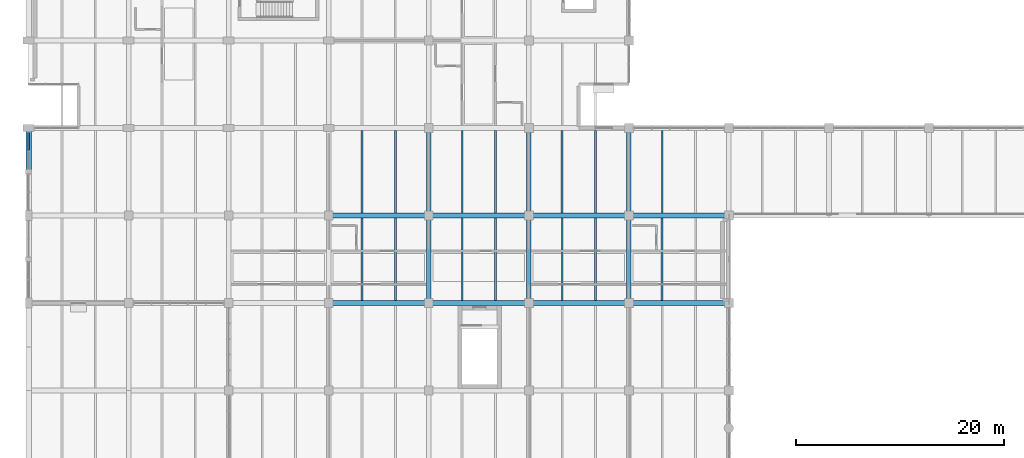
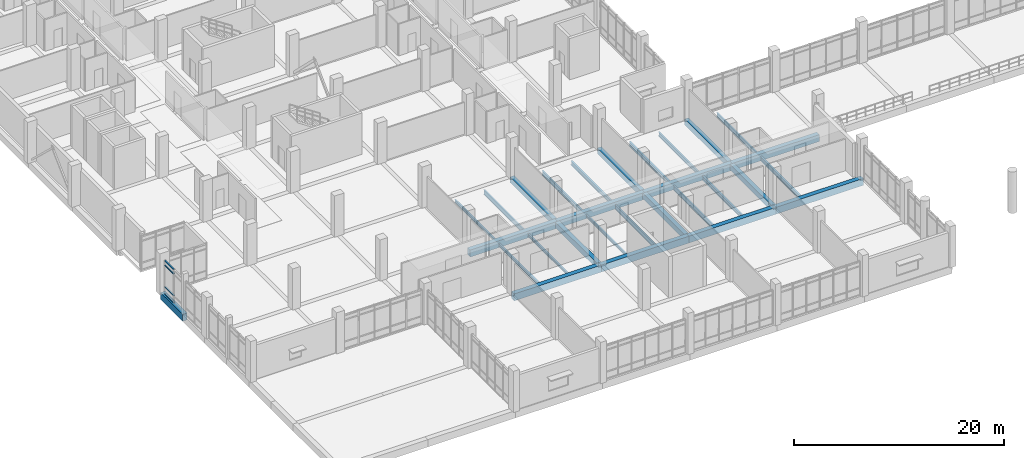
# One storey, part 13 of 152: 29 beams, 4 members, 1 element without a shape of its own.
"""IFC4 building model written with IfcOpenShell, lengths in metres."""

import ifcopenshell
import ifcopenshell.guid

model = None  # the IFC model being written
_history = None  # IfcOwnerHistory: only IFC2X3 demands one
_inside = {}  # id of a spatial element -> (the spatial element, [elements in it])
_under = {}  # id of a project, library or spatial element -> (it, [spatial elements below it])
_declared = {}  # id of a project -> (the project, [libraries it declares])
_typed = {}  # id of a type object -> (the type object, [elements of that type])
_made_of = {}  # id of a material, layer set ... -> (it, [elements and type objects made of it])


def new_model(schema):
    """Start an empty IFC model of exactly this schema.

    Asked for "IFC4X3", IfcOpenShell would pick the latest addendum, in which some entities
    have other attributes; the version numbers below select the first issue.
    IFC2X3 requires an IfcOwnerHistory on every rooted entity: one is made here for all.
    """
    global model, _history
    if schema == "IFC4X3":
        model = ifcopenshell.file(schema_version=(4, 3, 0, 0))
    else:
        model = ifcopenshell.file(schema=schema)
    _inside.clear()
    _under.clear()
    _declared.clear()
    _typed.clear()
    _made_of.clear()
    _history = None
    if model.schema == "IFC2X3":
        org = make("IfcOrganization", Name="unknown")
        user = make(
            "IfcPersonAndOrganization",
            ThePerson=make("IfcPerson", FamilyName="unknown"),
            TheOrganization=org,
        )
        app = make(
            "IfcApplication",
            ApplicationDeveloper=org,
            Version="unknown",
            ApplicationFullName="unknown",
            ApplicationIdentifier="unknown",
        )
        _history = make(
            "IfcOwnerHistory",
            OwningUser=user,
            OwningApplication=app,
            ChangeAction="ADDED",
            CreationDate=0,
        )
    return model


def make(cls, **values):
    """One entity of the class cls with the attributes given. An attribute that is None is left unset."""
    return model.create_entity(
        cls, **{name: value for name, value in values.items() if value is not None}
    )


def rooted(cls, **values):
    """An entity with a GlobalId (a new one), such as an element, a storey or a relation."""
    return make(cls, GlobalId=ifcopenshell.guid.new(), OwnerHistory=_history, **values)


def si_unit(unit_type, name, prefix=None):
    """IfcSIUnit, for example si_unit("LENGTHUNIT", "METRE", prefix="MILLI")."""
    return make("IfcSIUnit", UnitType=unit_type, Prefix=prefix, Name=name)


def assignment(units):
    """IfcUnitAssignment: the units of a project."""
    return None if units is None else make("IfcUnitAssignment", Units=units)


def point(xyz):
    """IfcCartesianPoint."""
    return None if xyz is None else make("IfcCartesianPoint", Coordinates=xyz)


def direction(xyz):
    """IfcDirection."""
    return None if xyz is None else make("IfcDirection", DirectionRatios=xyz)


def frame(location, z_axis=None, x_axis=None):
    """IfcAxis2Placement3D, a coordinate frame: its origin and axes. An axis left out is left unset."""
    return make(
        "IfcAxis2Placement3D",
        Location=point(location),
        Axis=direction(z_axis),
        RefDirection=direction(x_axis),
    )


def frame_2d(location, x_axis=None):
    """IfcAxis2Placement2D, a coordinate frame in the plane: its origin and x axis."""
    return make(
        "IfcAxis2Placement2D", Location=point(location), RefDirection=direction(x_axis)
    )


def origin():
    """The frame at (0, 0, 0) with its axes left unset."""
    return frame((0.0, 0.0, 0.0))


def origin_2d():
    """The frame at (0, 0) in the plane with its x axis left unset."""
    return frame_2d((0.0, 0.0))


def place(relative_to, where):
    """IfcLocalPlacement: puts the frame where relative to a parent placement (None: the world)."""
    return make(
        "IfcLocalPlacement", PlacementRelTo=relative_to, RelativePlacement=where
    )


def context(
    kind, dimensions, precision=None, world=None, true_north=None, identifier=None
):
    """IfcGeometricRepresentationContext, for example the 3D "Model" context."""
    return make(
        "IfcGeometricRepresentationContext",
        ContextIdentifier=identifier,
        ContextType=kind,
        CoordinateSpaceDimension=dimensions,
        Precision=precision,
        WorldCoordinateSystem=world,
        TrueNorth=true_north,
    )


def subcontext(parent, identifier, kind, view, scale=None):
    """IfcGeometricRepresentationSubContext, for example "Body" below "Model"."""
    return make(
        "IfcGeometricRepresentationSubContext",
        ContextIdentifier=identifier,
        ContextType=kind,
        ParentContext=parent,
        TargetScale=scale,
        TargetView=view,
    )


def project(units=None, contexts=None):
    """IfcProject with its units and contexts."""
    return rooted(
        "IfcProject",
        Name="project",
        RepresentationContexts=contexts,
        UnitsInContext=assignment(units),
    )


def spatial(cls, under=None, at=None, **own):
    """A site, building, storey or space (cls), placed at a placement, below another one or the project."""
    s = rooted(cls, ObjectPlacement=at, **own)
    if under is not None:
        _under.setdefault(under.id(), (under, []))[1].append(s)
    return s


def profile(cls, at=None, kind="AREA", **sizes):
    """A parametric profile (cls). Its sizes go by their IFC names, for example OverallWidth=200.0."""
    return make(cls, ProfileType=kind, Position=at, **sizes)


def rectangle(**sizes):
    """IfcRectangleProfileDef."""
    return profile("IfcRectangleProfileDef", **sizes)


def i_section(**sizes):
    """IfcIShapeProfileDef."""
    return profile("IfcIShapeProfileDef", **sizes)


def extrude(swept, where, along, depth):
    """IfcExtrudedAreaSolid: the profile swept, set in the frame where, extruded along a direction by depth."""
    return make(
        "IfcExtrudedAreaSolid",
        SweptArea=swept,
        Position=where,
        ExtrudedDirection=direction(along),
        Depth=depth,
    )


def shape(context_of_items, identifier, shape_type, items):
    """IfcShapeRepresentation: the items that make up one representation, for example the "Body"."""
    return make(
        "IfcShapeRepresentation",
        ContextOfItems=context_of_items,
        RepresentationIdentifier=identifier,
        RepresentationType=shape_type,
        Items=items,
    )


def material(Name=None, Category=None):
    """IfcMaterial."""
    return make("IfcMaterial", Name=Name, Category=Category)


def material_profile(
    of_material, cross_section, Name=None, Category=None, Priority=None
):
    """IfcMaterialProfile: a cross section and its material."""
    return make(
        "IfcMaterialProfile",
        Name=Name,
        Material=of_material,
        Profile=cross_section,
        Priority=Priority,
        Category=Category,
    )


def profile_set(profiles, Name=None, composite=None):
    """IfcMaterialProfileSet."""
    return make(
        "IfcMaterialProfileSet",
        Name=Name,
        MaterialProfiles=profiles,
        CompositeProfile=composite,
    )


def made_of(thing, what):
    """Note that an element or type object is made of a material, layer set ...; save() writes the relation."""
    if what is not None:
        _made_of.setdefault(what.id(), (what, []))[1].append(thing)
    return thing


def type_object(cls, material=None, **own):
    """A type object (cls), such as IfcWallType, which elements share."""
    return made_of(rooted(cls, **own), material)


def element(
    cls,
    number,
    at=None,
    inside=None,
    cuts=None,
    type_object=None,
    material=None,
    context=None,
    identifier="Body",
    shape_type=None,
    held_by="IfcProductDefinitionShape",
    body=None,
    shapes=None,
    **own,
):
    """One element of the class cls, such as IfcWall. Its Tag is "e" and its number.

    at: its placement. inside: the storey or other place that contains it. cuts: it is an
    opening in that element (IfcRelVoidsElement). A single representation is given by context,
    identifier, shape_type and body (its items); several are given by shapes. held_by: the class
    of the entity that holds the representations. save() writes the other relations.
    """
    e = rooted(cls, Tag="e%d" % number, ObjectPlacement=at, **own)
    if body is not None:
        shapes = [shape(context, identifier, shape_type, body)]
    if shapes is not None:
        e.Representation = make(held_by, Representations=shapes)
    if inside is not None:
        _inside.setdefault(inside.id(), (inside, []))[1].append(e)
    if cuts is not None:
        rooted(
            "IfcRelVoidsElement", RelatingBuildingElement=cuts, RelatedOpeningElement=e
        )
    if type_object is not None:
        _typed.setdefault(type_object.id(), (type_object, []))[1].append(e)
    return made_of(e, material)


def aggregate(whole, parts):
    """IfcRelAggregates: a whole, such as a stair, and the parts it consists of."""
    return rooted("IfcRelAggregates", RelatingObject=whole, RelatedObjects=parts)


def save(model, path):
    """Write the relations noted so far, then the file.

    IfcRelAggregates (storeys below a building ...), IfcRelContainedInSpatialStructure (elements
    in a storey), IfcRelDefinesByType, IfcRelAssociatesMaterial and IfcRelDeclares: one each for
    every whole, place, type object, material and project.
    """
    for whole, parts in _under.values():
        aggregate(whole, parts)
    for where, things in _inside.values():
        rooted(
            "IfcRelContainedInSpatialStructure",
            RelatedElements=things,
            RelatingStructure=where,
        )
    for kind, things in _typed.values():
        rooted("IfcRelDefinesByType", RelatedObjects=things, RelatingType=kind)
    for what, things in _made_of.values():
        rooted("IfcRelAssociatesMaterial", RelatedObjects=things, RelatingMaterial=what)
    for by, libraries in _declared.values():
        rooted("IfcRelDeclares", RelatingContext=by, RelatedDefinitions=libraries)
    model.write(path)


model = new_model("IFC4")

# Units and contexts
model_context = context("Model", 3, precision=1e-05, world=origin(), true_north=direction((0.0, 1.0)))
body_context = subcontext(model_context, "Body", "Model", "MODEL_VIEW")
ifc_project = project(units=[si_unit("LENGTHUNIT", "METRE"), si_unit("AREAUNIT", "SQUARE_METRE"), si_unit("VOLUMEUNIT", "CUBIC_METRE"), si_unit("PLANEANGLEUNIT", "RADIAN"), si_unit("MASSUNIT", "GRAM", prefix="KILO")], contexts=[model_context])

# Site, building, storey
site_placement = place(None, origin())
site = spatial("IfcSite", under=ifc_project, at=site_placement, CompositionType="ELEMENT")
building_placement = place(site_placement, origin())
building = spatial("IfcBuilding", under=site, at=building_placement, Name="Oolite Switchyard Hospital", CompositionType="ELEMENT")
storey_placement = place(building_placement, frame((0.0, 0.0, 5.10009765625)))
storey = spatial("IfcBuildingStorey", under=building, at=storey_placement, Name="L01", CompositionType="ELEMENT", Elevation=5.10009765625)

# Beams
ifc_material_1 = material(Name="Concrete C40/50", Category="concrete")
ifc_material_profile_1 = material_profile(ifc_material_1, rectangle(XDim=0.449951171875, YDim=0.64990234375, at=origin_2d()), Name="RCB450X650")
ifc_profile_set_1 = profile_set([ifc_material_profile_1], Name="Concrete C40/50")
beam_type_1 = type_object("IfcBeamType", Name="BM-RC450X650", PredefinedType="BEAM", material=ifc_profile_set_1)
beam_1_placement = place(storey_placement, frame((38.39990234375, 16.800048828125, -0.3251953125), z_axis=(0.0, 1.0, 0.0), x_axis=(-1.0, 0.0, 0.0)))
element("IfcBeam", 1, at=beam_1_placement, inside=storey, type_object=beam_type_1, Name="L01 Y-Girder 352", PredefinedType="BEAM", context=body_context, shape_type="SweptSolid", body=[
    extrude(rectangle(XDim=0.449951171875, YDim=0.64990234375, at=origin_2d()), origin(), (0.0, 0.0, 1.0), 8.39990234375),
])
beam_2_placement = place(storey_placement, frame((38.39990234375, 25.199951171875, -0.3251953125), z_axis=(0.0, 1.0, 0.0), x_axis=(-1.0, 0.0, 0.0)))
element("IfcBeam", 2, at=beam_2_placement, inside=storey, type_object=beam_type_1, Name="L01 Y-Girder 353", PredefinedType="BEAM", context=body_context, shape_type="SweptSolid", body=[
    extrude(rectangle(XDim=0.449951171875, YDim=0.64990234375, at=origin_2d()), origin(), (0.0, 0.0, 1.0), 8.400146484375),
])
beam_3_placement = place(storey_placement, frame((48.0, 16.800048828125, -0.3251953125), z_axis=(0.0, 1.0, 0.0), x_axis=(-1.0, 0.0, 0.0)))
element("IfcBeam", 3, at=beam_3_placement, inside=storey, type_object=beam_type_1, Name="L01 Y-Girder 368", PredefinedType="BEAM", context=body_context, shape_type="SweptSolid", body=[
    extrude(rectangle(XDim=0.449951171875, YDim=0.64990234375, at=origin_2d()), origin(), (0.0, 0.0, 1.0), 8.39990234375),
])
beam_4_placement = place(storey_placement, frame((48.0, 25.199951171875, -0.3251953125), z_axis=(0.0, 1.0, 0.0), x_axis=(-1.0, 0.0, 0.0)))
element("IfcBeam", 4, at=beam_4_placement, inside=storey, type_object=beam_type_1, Name="L01 Y-Girder 369", PredefinedType="BEAM", context=body_context, shape_type="SweptSolid", body=[
    extrude(rectangle(XDim=0.449951171875, YDim=0.64990234375, at=origin_2d()), origin(), (0.0, 0.0, 1.0), 8.400146484375),
])
beam_5_placement = place(storey_placement, frame((57.60009765625, 16.800048828125, -0.3251953125), z_axis=(0.0, 1.0, 0.0), x_axis=(-1.0, 0.0, 0.0)))
element("IfcBeam", 5, at=beam_5_placement, inside=storey, type_object=beam_type_1, Name="L01 Y-Girder 384", PredefinedType="BEAM", context=body_context, shape_type="SweptSolid", body=[
    extrude(rectangle(XDim=0.449951171875, YDim=0.64990234375, at=origin_2d()), origin(), (0.0, 0.0, 1.0), 8.39990234375),
])
beam_6_placement = place(storey_placement, frame((57.60009765625, 25.199951171875, -0.3251953125), z_axis=(0.0, 1.0, 0.0), x_axis=(-1.0, 0.0, 0.0)))
element("IfcBeam", 6, at=beam_6_placement, inside=storey, type_object=beam_type_1, Name="L01 Y-Girder 385", PredefinedType="BEAM", context=body_context, shape_type="SweptSolid", body=[
    extrude(rectangle(XDim=0.449951171875, YDim=0.64990234375, at=origin_2d()), origin(), (0.0, 0.0, 1.0), 8.400146484375),
])
ifc_material_profile_2 = material_profile(ifc_material_1, rectangle(XDim=0.5, YDim=0.800048828125, at=origin_2d()), Name="RCB500X800")
ifc_profile_set_2 = profile_set([ifc_material_profile_2], Name="Concrete C40/50")
beam_type_2 = type_object("IfcBeamType", Name="BM-RC500X800", PredefinedType="BEAM", material=ifc_profile_set_2)
beam_7_placement = place(storey_placement, frame((28.800048828125, 16.800048828125, -0.400146484375), z_axis=(1.0, 0.0, 0.0), x_axis=(0.0, 1.0, 0.0)))
element("IfcBeam", 7, at=beam_7_placement, inside=storey, type_object=beam_type_2, Name="L01 X-Girder 29", PredefinedType="BEAM", context=body_context, shape_type="SweptSolid", body=[
    extrude(rectangle(XDim=0.5, YDim=0.800048828125, at=origin_2d()), origin(), (0.0, 0.0, 1.0), 9.599853515625),
])
for number, where, z_axis, x_axis, name in (
    (8, (38.39990234375, 16.800048828125, -0.400146484375), (1.0, 0.0, 0.0), (0.0, 1.0, 0.0), "L01 X-Girder 30"),
    (9, (48.0, 16.800048828125, -0.400146484375), (1.0, 0.0, 0.0), (0.0, 1.0, 0.0), "L01 X-Girder 31"),
):
    element("IfcBeam", number, at=place(storey_placement, frame(where, z_axis=z_axis, x_axis=x_axis)), inside=storey, type_object=beam_type_2, Name=name, PredefinedType="BEAM", context=body_context, shape_type="SweptSolid", body=[
        extrude(rectangle(XDim=0.5, YDim=0.800048828125, at=origin_2d()), origin(), (0.0, 0.0, 1.0), 9.60009765625),
    ])
for number, where, z_axis, x_axis, name in (
    (10, (57.60009765625, 16.800048828125, -0.400146484375), (1.0, 0.0, 0.0), (0.0, 1.0, 0.0), "L01 X-Girder 32"),
    (11, (28.800048828125, 25.199951171875, -0.400146484375), (1.0, 0.0, 0.0), (0.0, 1.0, 0.0), "L01 X-Girder 44"),
):
    element("IfcBeam", number, at=place(storey_placement, frame(where, z_axis=z_axis, x_axis=x_axis)), inside=storey, type_object=beam_type_2, Name=name, PredefinedType="BEAM", context=body_context, shape_type="SweptSolid", body=[
        extrude(rectangle(XDim=0.5, YDim=0.800048828125, at=origin_2d()), origin(), (0.0, 0.0, 1.0), 9.599853515625),
    ])
for number, where, z_axis, x_axis, name in (
    (12, (38.39990234375, 25.199951171875, -0.400146484375), (1.0, 0.0, 0.0), (0.0, 1.0, 0.0), "L01 X-Girder 45"),
    (13, (48.0, 25.199951171875, -0.400146484375), (1.0, 0.0, 0.0), (0.0, 1.0, 0.0), "L01 X-Girder 46"),
):
    element("IfcBeam", number, at=place(storey_placement, frame(where, z_axis=z_axis, x_axis=x_axis)), inside=storey, type_object=beam_type_2, Name=name, PredefinedType="BEAM", context=body_context, shape_type="SweptSolid", body=[
        extrude(rectangle(XDim=0.5, YDim=0.800048828125, at=origin_2d()), origin(), (0.0, 0.0, 1.0), 9.60009765625),
    ])
beam_8_placement = place(storey_placement, frame((57.60009765625, 25.199951171875, -0.400146484375), z_axis=(1.0, 0.0, 0.0), x_axis=(0.0, 1.0, 0.0)))
element("IfcBeam", 14, at=beam_8_placement, inside=storey, type_object=beam_type_2, Name="L01 X-Girder 47", PredefinedType="BEAM", context=body_context, shape_type="SweptSolid", body=[
    extrude(rectangle(XDim=0.5, YDim=0.800048828125, at=origin_2d()), origin(), (0.0, 0.0, 1.0), 9.599853515625),
])
beam_9_placement = place(storey_placement, frame((0.0, 29.39990234375, -0.400146484375), z_axis=(0.0, 1.0, 0.0), x_axis=(-1.0, 0.0, 0.0)))
element("IfcBeam", 15, at=beam_9_placement, inside=storey, type_object=beam_type_2, Name="L01 Y-Girder 291", PredefinedType="BEAM", context=body_context, shape_type="SweptSolid", body=[
    extrude(rectangle(XDim=0.5, YDim=0.800048828125, at=origin_2d()), origin(), (0.0, 0.0, 1.0), 4.2001953125),
])
ifc_material_2 = material(Name="Steel ASTM A992 Grade 50", Category="steel")
ifc_material_profile_3 = material_profile(ifc_material_2, i_section(OverallWidth=0.1650390625, OverallDepth=0.31005859375, WebThickness=0.006103515625, FlangeThickness=0.010009765625, at=origin_2d()), Name="W12X26")
ifc_profile_set_3 = profile_set([ifc_material_profile_3], Name="Steel ASTM A992 Grade 50")
beam_type_3 = type_object("IfcBeamType", Name="BM-W12X26", PredefinedType="JOIST", material=ifc_profile_set_3)
beam_10_placement = place(storey_placement, frame((35.199951171875, 17.050048828125, -0.43017578125), z_axis=(0.0, 1.0, 0.0), x_axis=(-1.0, 0.0, 0.0)))
element("IfcBeam", 16, at=beam_10_placement, inside=storey, type_object=beam_type_3, Name="L01 Secondary Steel Joist 655", PredefinedType="JOIST", context=body_context, shape_type="SweptSolid", body=[
    extrude(i_section(OverallWidth=0.1650390625, OverallDepth=0.31005859375, WebThickness=0.006103515625, FlangeThickness=0.010009765625, at=origin_2d()), origin(), (0.0, 0.0, 1.0), 7.89990234375),
])
beam_11_placement = place(storey_placement, frame((32.0, 25.449951171875, -0.43017578125), z_axis=(0.0, 1.0, 0.0), x_axis=(-1.0, 0.0, 0.0)))
element("IfcBeam", 17, at=beam_11_placement, inside=storey, type_object=beam_type_3, Name="L01 Secondary Steel Joist 656", PredefinedType="JOIST", context=body_context, shape_type="SweptSolid", body=[
    extrude(i_section(OverallWidth=0.1650390625, OverallDepth=0.31005859375, WebThickness=0.006103515625, FlangeThickness=0.010009765625, at=origin_2d()), origin(), (0.0, 0.0, 1.0), 7.900146484375),
])
beam_12_placement = place(storey_placement, frame((41.60009765625, 17.050048828125, -0.43017578125), z_axis=(0.0, 1.0, 0.0), x_axis=(-1.0, 0.0, 0.0)))
element("IfcBeam", 18, at=beam_12_placement, inside=storey, type_object=beam_type_3, Name="L01 Secondary Steel Joist 684", PredefinedType="JOIST", context=body_context, shape_type="SweptSolid", body=[
    extrude(i_section(OverallWidth=0.1650390625, OverallDepth=0.31005859375, WebThickness=0.006103515625, FlangeThickness=0.010009765625, at=origin_2d()), origin(), (0.0, 0.0, 1.0), 7.89990234375),
])
ifc_material_profile_4 = material_profile(ifc_material_2, i_section(OverallWidth=0.1708984375, OverallDepth=0.35107421875, WebThickness=0.007080078125, FlangeThickness=0.010009765625, at=origin_2d()), Name="W14X30")
ifc_profile_set_4 = profile_set([ifc_material_profile_4], Name="Steel ASTM A992 Grade 50")
beam_type_4 = type_object("IfcBeamType", Name="BM-W14X30", PredefinedType="JOIST", material=ifc_profile_set_4)
beam_13_placement = place(storey_placement, frame((32.0, 17.050048828125, -0.4501953125), z_axis=(0.0, 1.0, 0.0), x_axis=(-1.0, 0.0, 0.0)))
element("IfcBeam", 19, at=beam_13_placement, inside=storey, type_object=beam_type_4, Name="L01 Secondary Steel Joist 654", PredefinedType="JOIST", context=body_context, shape_type="SweptSolid", body=[
    extrude(i_section(OverallWidth=0.1708984375, OverallDepth=0.35107421875, WebThickness=0.007080078125, FlangeThickness=0.010009765625, at=origin_2d()), origin(), (0.0, 0.0, 1.0), 7.89990234375),
])
ifc_material_profile_5 = material_profile(ifc_material_2, i_section(OverallWidth=0.153076171875, OverallDepth=0.455078125, WebThickness=0.008056640625, FlangeThickness=0.012939453125, at=origin_2d()), Name="W18X40")
ifc_profile_set_5 = profile_set([ifc_material_profile_5], Name="Steel ASTM A992 Grade 50")
beam_type_5 = type_object("IfcBeamType", Name="BM-W18X40", PredefinedType="JOIST", material=ifc_profile_set_5)
for number, where, z_axis, x_axis, name in (
    (20, (54.39990234375, 25.449951171875, -0.503173828125), (0.0, 1.0, 0.0), (-1.0, 0.0, 0.0), "L01 Secondary Steel Joist 717"),
    (21, (60.800048828125, 25.449951171875, -0.503173828125), (0.0, 1.0, 0.0), (-1.0, 0.0, 0.0), "L01 Secondary Steel Joist 744"),
):
    element("IfcBeam", number, at=place(storey_placement, frame(where, z_axis=z_axis, x_axis=x_axis)), inside=storey, type_object=beam_type_5, Name=name, PredefinedType="JOIST", context=body_context, shape_type="SweptSolid", body=[
        extrude(i_section(OverallWidth=0.153076171875, OverallDepth=0.455078125, WebThickness=0.008056640625, FlangeThickness=0.012939453125, at=origin_2d()), origin(), (0.0, 0.0, 1.0), 7.900146484375),
    ])
ifc_material_profile_6 = material_profile(ifc_material_2, i_section(OverallWidth=0.19091796875, OverallDepth=0.4599609375, WebThickness=0.010009765625, FlangeThickness=0.01611328125, at=origin_2d()), Name="W18X55")
ifc_profile_set_6 = profile_set([ifc_material_profile_6], Name="Steel ASTM A992 Grade 50")
beam_type_6 = type_object("IfcBeamType", Name="BM-W18X55", PredefinedType="JOIST", material=ifc_profile_set_6)
beam_14_placement = place(storey_placement, frame((44.800048828125, 25.449951171875, -0.505126953125), z_axis=(0.0, 1.0, 0.0), x_axis=(-1.0, 0.0, 0.0)))
element("IfcBeam", 22, at=beam_14_placement, inside=storey, type_object=beam_type_6, Name="L01 Secondary Steel Joist 687", PredefinedType="JOIST", context=body_context, shape_type="SweptSolid", body=[
    extrude(i_section(OverallWidth=0.19091796875, OverallDepth=0.4599609375, WebThickness=0.010009765625, FlangeThickness=0.01611328125, at=origin_2d()), origin(), (0.0, 0.0, 1.0), 7.900146484375),
])
beam_15_placement = place(storey_placement, frame((54.39990234375, 17.050048828125, -0.505126953125), z_axis=(0.0, 1.0, 0.0), x_axis=(-1.0, 0.0, 0.0)))
element("IfcBeam", 23, at=beam_15_placement, inside=storey, type_object=beam_type_6, Name="L01 Secondary Steel Joist 715", PredefinedType="JOIST", context=body_context, shape_type="SweptSolid", body=[
    extrude(i_section(OverallWidth=0.19091796875, OverallDepth=0.4599609375, WebThickness=0.010009765625, FlangeThickness=0.01611328125, at=origin_2d()), origin(), (0.0, 0.0, 1.0), 7.89990234375),
])
beam_16_placement = place(storey_placement, frame((51.199951171875, 25.449951171875, -0.505126953125), z_axis=(0.0, 1.0, 0.0), x_axis=(-1.0, 0.0, 0.0)))
element("IfcBeam", 24, at=beam_16_placement, inside=storey, type_object=beam_type_6, Name="L01 Secondary Steel Joist 716", PredefinedType="JOIST", context=body_context, shape_type="SweptSolid", body=[
    extrude(i_section(OverallWidth=0.19091796875, OverallDepth=0.4599609375, WebThickness=0.010009765625, FlangeThickness=0.01611328125, at=origin_2d()), origin(), (0.0, 0.0, 1.0), 7.900146484375),
])
beam_17_placement = place(storey_placement, frame((60.800048828125, 17.050048828125, -0.505126953125), z_axis=(0.0, 1.0, 0.0), x_axis=(-1.0, 0.0, 0.0)))
element("IfcBeam", 25, at=beam_17_placement, inside=storey, type_object=beam_type_6, Name="L01 Secondary Steel Joist 742", PredefinedType="JOIST", context=body_context, shape_type="SweptSolid", body=[
    extrude(i_section(OverallWidth=0.19091796875, OverallDepth=0.4599609375, WebThickness=0.010009765625, FlangeThickness=0.01611328125, at=origin_2d()), origin(), (0.0, 0.0, 1.0), 7.89990234375),
])
ifc_material_profile_7 = material_profile(ifc_material_2, i_section(OverallWidth=0.166015625, OverallDepth=0.529052734375, WebThickness=0.010009765625, FlangeThickness=0.013916015625, at=origin_2d()), Name="W21X50")
ifc_profile_set_7 = profile_set([ifc_material_profile_7], Name="Steel ASTM A992 Grade 50")
beam_type_7 = type_object("IfcBeamType", Name="BM-W21X50", PredefinedType="JOIST", material=ifc_profile_set_7)
beam_18_placement = place(storey_placement, frame((35.199951171875, 25.449951171875, -0.5400390625), z_axis=(0.0, 1.0, 0.0), x_axis=(-1.0, 0.0, 0.0)))
element("IfcBeam", 26, at=beam_18_placement, inside=storey, type_object=beam_type_7, Name="L01 Secondary Steel Joist 657", PredefinedType="JOIST", context=body_context, shape_type="SweptSolid", body=[
    extrude(i_section(OverallWidth=0.166015625, OverallDepth=0.529052734375, WebThickness=0.010009765625, FlangeThickness=0.013916015625, at=origin_2d()), origin(), (0.0, 0.0, 1.0), 7.900146484375),
])
beam_19_placement = place(storey_placement, frame((44.800048828125, 17.050048828125, -0.5400390625), z_axis=(0.0, 1.0, 0.0), x_axis=(-1.0, 0.0, 0.0)))
element("IfcBeam", 27, at=beam_19_placement, inside=storey, type_object=beam_type_7, Name="L01 Secondary Steel Joist 685", PredefinedType="JOIST", context=body_context, shape_type="SweptSolid", body=[
    extrude(i_section(OverallWidth=0.166015625, OverallDepth=0.529052734375, WebThickness=0.010009765625, FlangeThickness=0.013916015625, at=origin_2d()), origin(), (0.0, 0.0, 1.0), 7.89990234375),
])
beam_20_placement = place(storey_placement, frame((41.60009765625, 25.449951171875, -0.5400390625), z_axis=(0.0, 1.0, 0.0), x_axis=(-1.0, 0.0, 0.0)))
element("IfcBeam", 28, at=beam_20_placement, inside=storey, type_object=beam_type_7, Name="L01 Secondary Steel Joist 686", PredefinedType="JOIST", context=body_context, shape_type="SweptSolid", body=[
    extrude(i_section(OverallWidth=0.166015625, OverallDepth=0.529052734375, WebThickness=0.010009765625, FlangeThickness=0.013916015625, at=origin_2d()), origin(), (0.0, 0.0, 1.0), 7.900146484375),
])
beam_21_placement = place(storey_placement, frame((51.199951171875, 17.050048828125, -0.5400390625), z_axis=(0.0, 1.0, 0.0), x_axis=(-1.0, 0.0, 0.0)))
element("IfcBeam", 29, at=beam_21_placement, inside=storey, type_object=beam_type_7, Name="L01 Secondary Steel Joist 714", PredefinedType="JOIST", context=body_context, shape_type="SweptSolid", body=[
    extrude(i_section(OverallWidth=0.166015625, OverallDepth=0.529052734375, WebThickness=0.010009765625, FlangeThickness=0.013916015625, at=origin_2d()), origin(), (0.0, 0.0, 1.0), 7.89990234375),
])

# Curtain wall, members
ifc_material_3 = material(Name="Thermally broken aluminum frame with laminated impact glazing", Category="aluminium")
curtain_wall_type = type_object("IfcCurtainWallType", Name="CW-UNIT-84X48", PredefinedType="USERDEFINED", material=ifc_material_3)
curtain_wall_placement = place(storey_placement, origin())
curtain_wall = element("IfcCurtainWall", 30, at=curtain_wall_placement, inside=storey, type_object=curtain_wall_type, Name="L01 Unitised Curtain Wall 163", ObjectType="UNITISED", PredefinedType="USERDEFINED")
ifc_material_4 = material(Name="Aluminium 6063-T6", Category="aluminium")
ifc_material_profile_8 = material_profile(ifc_material_4, rectangle(XDim=0.159912109375, YDim=0.074951171875, at=origin_2d()), Name="CWT75X160")
ifc_profile_set_8 = profile_set([ifc_material_profile_8], Name="Aluminium 6063-T6")
member_type = type_object("IfcMemberType", Name="CW-TRN-180", PredefinedType="USERDEFINED", material=ifc_profile_set_8)
member_1_placement = place(storey_placement, frame((0.0, 31.46240234375, 0.037353515625), z_axis=(0.0, 1.0, 0.0), x_axis=(-1.0, 0.0, 0.0)))
member_1 = element("IfcMember", 31, at=member_1_placement, type_object=member_type, Name="CW-07 transom 2.1", ObjectType="TRANSOM", PredefinedType="USERDEFINED", context=body_context, shape_type="SweptSolid", body=[
    extrude(rectangle(XDim=0.159912109375, YDim=0.074951171875, at=origin_2d()), origin(), (0.0, 0.0, 1.0), 1.697509765625),
])
member_2_placement = place(storey_placement, frame((0.0, 31.46240234375, 0.849853515625), z_axis=(0.0, 1.0, 0.0), x_axis=(-1.0, 0.0, 0.0)))
member_2 = element("IfcMember", 32, at=member_2_placement, type_object=member_type, Name="CW-07 transom 2.2", ObjectType="TRANSOM", PredefinedType="USERDEFINED", context=body_context, shape_type="SweptSolid", body=[
    extrude(rectangle(XDim=0.159912109375, YDim=0.074951171875, at=origin_2d()), origin(), (0.0, 0.0, 1.0), 1.697509765625),
])
member_3_placement = place(storey_placement, frame((0.0, 31.46240234375, 3.389892578125), z_axis=(0.0, 1.0, 0.0), x_axis=(-1.0, 0.0, 0.0)))
member_3 = element("IfcMember", 33, at=member_3_placement, type_object=member_type, Name="CW-07 transom 2.3", ObjectType="TRANSOM", PredefinedType="USERDEFINED", context=body_context, shape_type="SweptSolid", body=[
    extrude(rectangle(XDim=0.159912109375, YDim=0.074951171875, at=origin_2d()), origin(), (0.0, 0.0, 1.0), 1.697509765625),
])
member_4_placement = place(storey_placement, frame((0.0, 31.46240234375, 3.90234375), z_axis=(0.0, 1.0, 0.0), x_axis=(-1.0, 0.0, 0.0)))
member_4 = element("IfcMember", 34, at=member_4_placement, type_object=member_type, Name="CW-07 transom 2.4", ObjectType="TRANSOM", PredefinedType="USERDEFINED", context=body_context, shape_type="SweptSolid", body=[
    extrude(rectangle(XDim=0.159912109375, YDim=0.074951171875, at=origin_2d()), origin(), (0.0, 0.0, 1.0), 1.697509765625),
])
aggregate(curtain_wall, [member_1, member_2, member_3, member_4])

save(model, "model.ifc")
